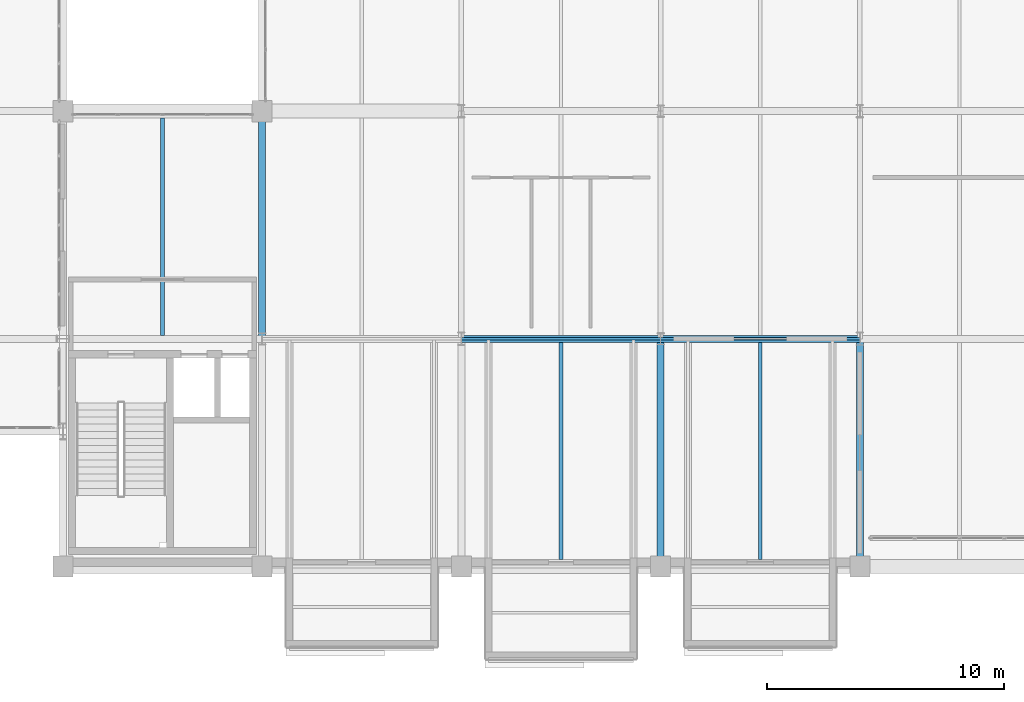
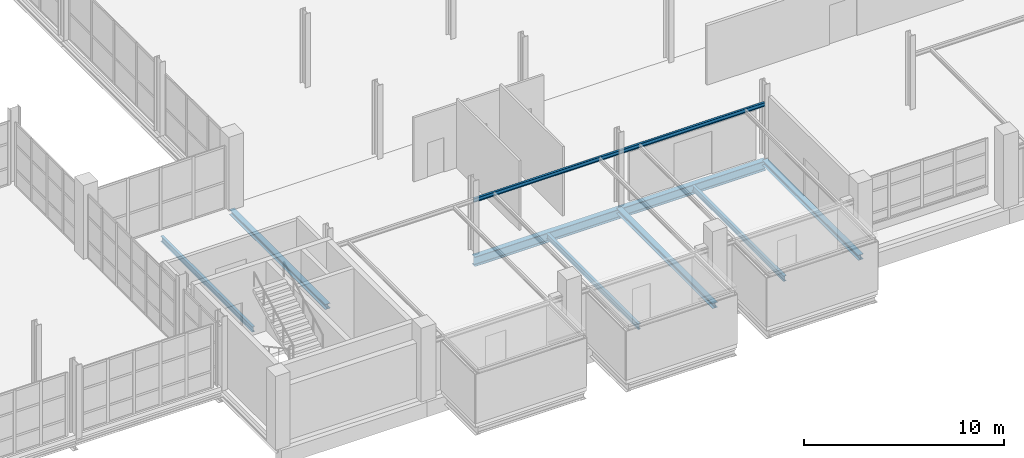
# One storey, part 24 of 109: 10 beams.
"""IFC4 building model written with IfcOpenShell, lengths in metres."""

from ifc_helpers import new_model, si_unit, direction, frame, origin, origin_2d, place, context, subcontext, project, spatial, i_section, extrude, material, material_profile, profile_set, type_object, element, save


model = new_model("IFC4")

# Units and contexts
model_context = context("Model", 3, precision=1e-05, world=origin(), true_north=direction((0.0, 1.0)))
body_context = subcontext(model_context, "Body", "Model", "MODEL_VIEW")
ifc_project = project(units=[si_unit("LENGTHUNIT", "METRE"), si_unit("AREAUNIT", "SQUARE_METRE"), si_unit("VOLUMEUNIT", "CUBIC_METRE"), si_unit("PLANEANGLEUNIT", "RADIAN"), si_unit("MASSUNIT", "GRAM", prefix="KILO")], contexts=[model_context])

# Site, building, storey
site_placement = place(None, origin())
site = spatial("IfcSite", under=ifc_project, at=site_placement, CompositionType="ELEMENT")
building_placement = place(site_placement, origin())
building = spatial("IfcBuilding", under=site, at=building_placement, Name="Veltarok Museum of Natural Sciences", CompositionType="ELEMENT")
storey_placement = place(building_placement, frame((0.0, 0.0, 17.39990234375)))
storey = spatial("IfcBuildingStorey", under=building, at=storey_placement, Name="L03", CompositionType="ELEMENT", Elevation=17.39990234375)

# Beams
ifc_material = material(Name="Steel S355J2", Category="steel")
ifc_material_profile_1 = material_profile(ifc_material, i_section(OverallWidth=0.1201171875, OverallDepth=0.239990234375, WebThickness=0.006103515625, FlangeThickness=0.009765625, FilletRadius=0.014892578125, at=origin_2d()), Name="IPE 240")
ifc_profile_set_1 = profile_set([ifc_material_profile_1], Name="Steel S355J2")
beam_type_1 = type_object("IfcBeamType", Name="Cabinet Box Secondary Joist IPE 240", PredefinedType="JOIST", material=ifc_profile_set_1)
beam_1_placement = place(storey_placement, frame((48.39990234375, 9.60009765625, 3.130126953125), z_axis=(1.0, 0.0, 0.0), x_axis=(0.0, 1.0, 0.0)))
element("IfcBeam", 1, at=beam_1_placement, inside=storey, type_object=beam_type_1, Name="Cabinet Roof Tie Beam DB-14-I", PredefinedType="JOIST", context=body_context, shape_type="SweptSolid", body=[
    extrude(i_section(OverallWidth=0.1201171875, OverallDepth=0.239990234375, WebThickness=0.006103515625, FlangeThickness=0.009765625, FilletRadius=0.014892578125, at=origin_2d()), origin(), (0.0, 0.0, 1.0), 8.400146484375),
])
beam_2_placement = place(storey_placement, frame((56.800048828125, 9.60009765625, 3.130126953125), z_axis=(1.0, 0.0, 0.0), x_axis=(0.0, 1.0, 0.0)))
element("IfcBeam", 2, at=beam_2_placement, inside=storey, type_object=beam_type_1, Name="Cabinet Roof Tie Beam DB-15-I", PredefinedType="JOIST", context=body_context, shape_type="SweptSolid", body=[
    extrude(i_section(OverallWidth=0.1201171875, OverallDepth=0.239990234375, WebThickness=0.006103515625, FlangeThickness=0.009765625, FilletRadius=0.014892578125, at=origin_2d()), origin(), (0.0, 0.0, 1.0), 8.39990234375),
])
ifc_material_profile_2 = material_profile(ifc_material, i_section(OverallWidth=0.300048828125, OverallDepth=0.590087890625, WebThickness=0.012939453125, FlangeThickness=0.02490234375, FilletRadius=0.027099609375, at=origin_2d()), Name="HEA 600")
ifc_profile_set_2 = profile_set([ifc_material_profile_2], Name="Steel S355J2")
beam_type_2 = type_object("IfcBeamType", Name="Heavy Archive Girder HEA 600", PredefinedType="BEAM", material=ifc_profile_set_2)
beam_3_placement = place(storey_placement, frame((48.39990234375, 9.60009765625, -0.544921875), z_axis=(1.0, 0.0, 0.0), x_axis=(0.0, 1.0, 0.0)))
element("IfcBeam", 3, at=beam_3_placement, inside=storey, type_object=beam_type_2, Name="Beam BM-G07 L03 6-7/B", PredefinedType="BEAM", context=body_context, shape_type="SweptSolid", body=[
    extrude(i_section(OverallWidth=0.300048828125, OverallDepth=0.590087890625, WebThickness=0.012939453125, FlangeThickness=0.02490234375, FilletRadius=0.027099609375, at=origin_2d()), origin(), (0.0, 0.0, 1.0), 8.400146484375),
])
beam_4_placement = place(storey_placement, frame((56.800048828125, 9.60009765625, -0.544921875), z_axis=(1.0, 0.0, 0.0), x_axis=(0.0, 1.0, 0.0)))
element("IfcBeam", 4, at=beam_4_placement, inside=storey, type_object=beam_type_2, Name="Beam BM-G07 L03 7-8/B", PredefinedType="BEAM", context=body_context, shape_type="SweptSolid", body=[
    extrude(i_section(OverallWidth=0.300048828125, OverallDepth=0.590087890625, WebThickness=0.012939453125, FlangeThickness=0.02490234375, FilletRadius=0.027099609375, at=origin_2d()), origin(), (0.0, 0.0, 1.0), 8.39990234375),
])
ifc_material_profile_3 = material_profile(ifc_material, i_section(OverallWidth=0.159912109375, OverallDepth=0.330078125, WebThickness=0.007568359375, FlangeThickness=0.011474609375, FilletRadius=0.01806640625, at=origin_2d()), Name="IPE 330")
ifc_profile_set_3 = profile_set([ifc_material_profile_3], Name="Steel S355J2")
beam_type_3 = type_object("IfcBeamType", Name="Medium-Bay Composite Joist IPE 330", PredefinedType="JOIST", material=ifc_profile_set_3)
beam_5_placement = place(storey_placement, frame((35.800048828125, 9.748046875, -0.414794921875), z_axis=(0.0, 1.0, 0.0), x_axis=(-1.0, 0.0, 0.0)))
element("IfcBeam", 5, at=beam_5_placement, inside=storey, type_object=beam_type_3, Name="Secondary Joist BM-J02 L03 4-5/B-C.1", PredefinedType="JOIST", context=body_context, shape_type="SweptSolid", body=[
    extrude(i_section(OverallWidth=0.159912109375, OverallDepth=0.330078125, WebThickness=0.007568359375, FlangeThickness=0.011474609375, FilletRadius=0.01806640625, at=origin_2d()), origin(), (0.0, 0.0, 1.0), 9.154052734375),
])
for number, where, z_axis, x_axis, name in (
    (6, (52.60009765625, 0.298095703125, -0.414794921875), (0.0, 1.0, 0.0), (-1.0, 0.0, 0.0), "Secondary Joist BM-J02 L03 6-7/A-B.1"),
    (7, (61.0, 0.298095703125, -0.414794921875), (0.0, 1.0, 0.0), (-1.0, 0.0, 0.0), "Secondary Joist BM-J02 L03 7-8/A-B.1"),
):
    element("IfcBeam", number, at=place(storey_placement, frame(where, z_axis=z_axis, x_axis=x_axis)), inside=storey, type_object=beam_type_3, Name=name, PredefinedType="JOIST", context=body_context, shape_type="SweptSolid", body=[
        extrude(i_section(OverallWidth=0.159912109375, OverallDepth=0.330078125, WebThickness=0.007568359375, FlangeThickness=0.011474609375, FilletRadius=0.01806640625, at=origin_2d()), origin(), (0.0, 0.0, 1.0), 9.15380859375),
    ])
ifc_material_profile_4 = material_profile(ifc_material, i_section(OverallWidth=0.300048828125, OverallDepth=0.31005859375, WebThickness=0.009033203125, FlangeThickness=0.015380859375, FilletRadius=0.027099609375, at=origin_2d()), Name="HEA 320")
ifc_profile_set_4 = profile_set([ifc_material_profile_4], Name="Steel S355J2")
beam_type_4 = type_object("IfcBeamType", Name="Perimeter Edge Spandrel HEA 320", PredefinedType="SPANDREL", material=ifc_profile_set_4)
beam_6_placement = place(storey_placement, frame((40.0, 9.60009765625, -0.40478515625), z_axis=(0.0, 1.0, 0.0), x_axis=(-1.0, 0.0, 0.0)))
element("IfcBeam", 8, at=beam_6_placement, inside=storey, type_object=beam_type_4, Name="Beam BM-SP04 L03 5/B-C", PredefinedType="SPANDREL", context=body_context, shape_type="SweptSolid", body=[
    extrude(i_section(OverallWidth=0.300048828125, OverallDepth=0.31005859375, WebThickness=0.009033203125, FlangeThickness=0.015380859375, FilletRadius=0.027099609375, at=origin_2d()), origin(), (0.0, 0.0, 1.0), 9.599853515625),
])
for number, where, z_axis, x_axis, name in (
    (9, (56.800048828125, 0.0, -0.40478515625), (0.0, 1.0, 0.0), (-1.0, 0.0, 0.0), "Beam BM-SP04 L03 7/A-B"),
    (10, (65.199951171875, 0.0, -0.40478515625), (0.0, 1.0, 0.0), (-1.0, 0.0, 0.0), "Beam BM-SP04 L03 8/A-B"),
):
    element("IfcBeam", number, at=place(storey_placement, frame(where, z_axis=z_axis, x_axis=x_axis)), inside=storey, type_object=beam_type_4, Name=name, PredefinedType="SPANDREL", context=body_context, shape_type="SweptSolid", body=[
        extrude(i_section(OverallWidth=0.300048828125, OverallDepth=0.31005859375, WebThickness=0.009033203125, FlangeThickness=0.015380859375, FilletRadius=0.027099609375, at=origin_2d()), origin(), (0.0, 0.0, 1.0), 9.60009765625),
    ])

save(model, "model.ifc")
